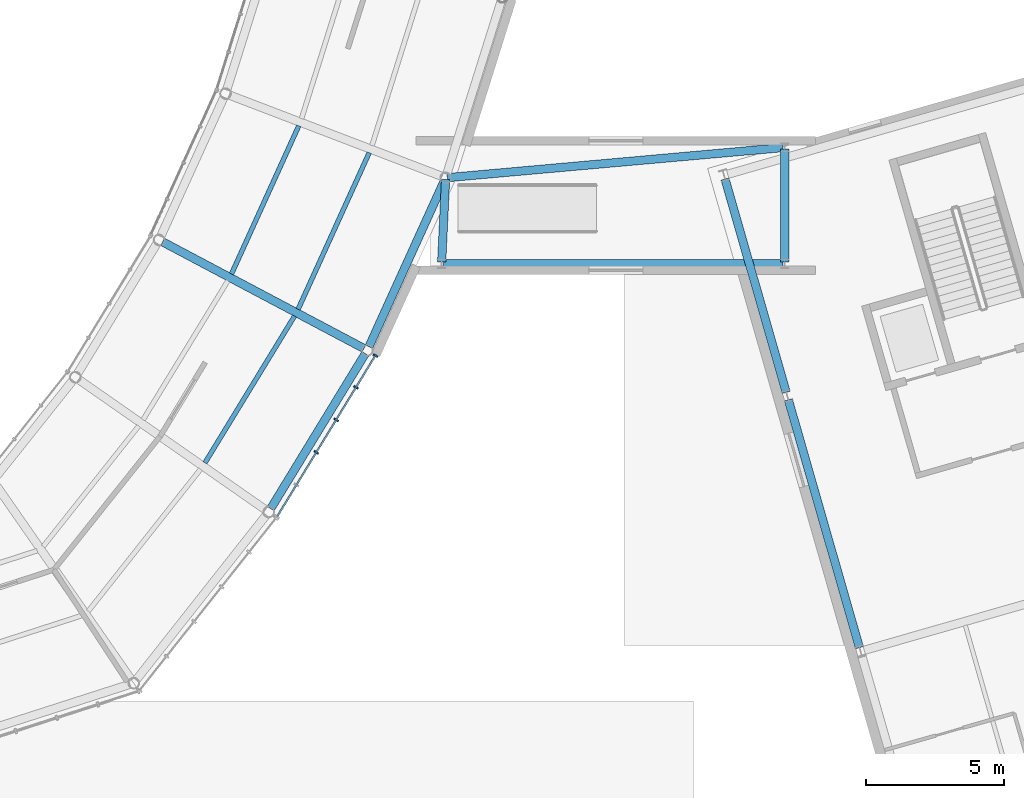
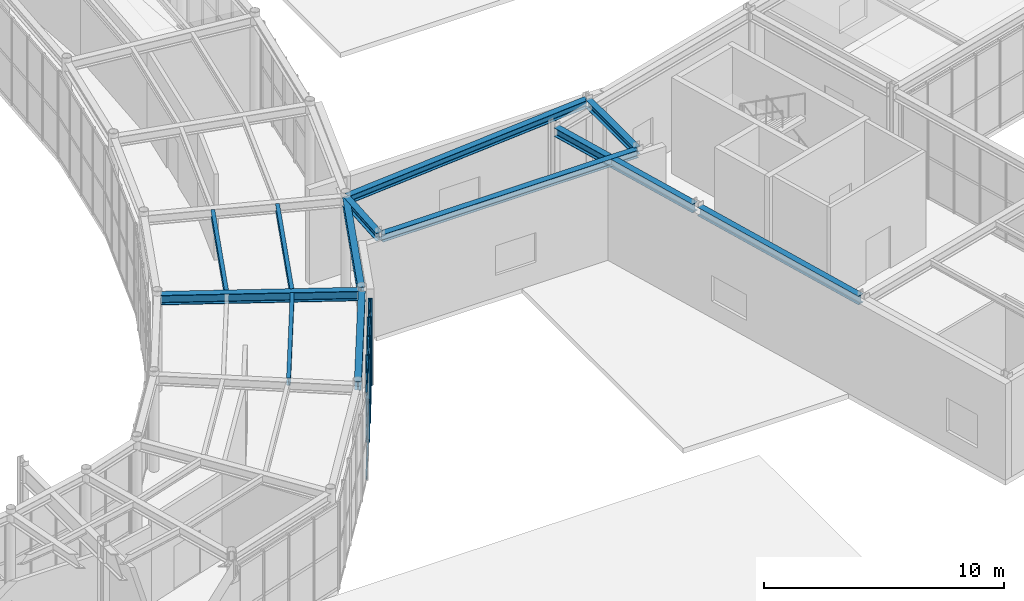
# One storey, part 31 of 97: 12 beams, 7 members, 1 element without a shape of its own.
"""IFC4 building model written with IfcOpenShell, lengths in metres."""

import ifcopenshell
import ifcopenshell.guid

model = None  # the IFC model being written
_history = None  # IfcOwnerHistory: only IFC2X3 demands one
_inside = {}  # id of a spatial element -> (the spatial element, [elements in it])
_under = {}  # id of a project, library or spatial element -> (it, [spatial elements below it])
_declared = {}  # id of a project -> (the project, [libraries it declares])
_typed = {}  # id of a type object -> (the type object, [elements of that type])
_made_of = {}  # id of a material, layer set ... -> (it, [elements and type objects made of it])


def new_model(schema):
    """Start an empty IFC model of exactly this schema.

    Asked for "IFC4X3", IfcOpenShell would pick the latest addendum, in which some entities
    have other attributes; the version numbers below select the first issue.
    IFC2X3 requires an IfcOwnerHistory on every rooted entity: one is made here for all.
    """
    global model, _history
    if schema == "IFC4X3":
        model = ifcopenshell.file(schema_version=(4, 3, 0, 0))
    else:
        model = ifcopenshell.file(schema=schema)
    _inside.clear()
    _under.clear()
    _declared.clear()
    _typed.clear()
    _made_of.clear()
    _history = None
    if model.schema == "IFC2X3":
        org = make("IfcOrganization", Name="unknown")
        user = make(
            "IfcPersonAndOrganization",
            ThePerson=make("IfcPerson", FamilyName="unknown"),
            TheOrganization=org,
        )
        app = make(
            "IfcApplication",
            ApplicationDeveloper=org,
            Version="unknown",
            ApplicationFullName="unknown",
            ApplicationIdentifier="unknown",
        )
        _history = make(
            "IfcOwnerHistory",
            OwningUser=user,
            OwningApplication=app,
            ChangeAction="ADDED",
            CreationDate=0,
        )
    return model


def make(cls, **values):
    """One entity of the class cls with the attributes given. An attribute that is None is left unset."""
    return model.create_entity(
        cls, **{name: value for name, value in values.items() if value is not None}
    )


def rooted(cls, **values):
    """An entity with a GlobalId (a new one), such as an element, a storey or a relation."""
    return make(cls, GlobalId=ifcopenshell.guid.new(), OwnerHistory=_history, **values)


def si_unit(unit_type, name, prefix=None):
    """IfcSIUnit, for example si_unit("LENGTHUNIT", "METRE", prefix="MILLI")."""
    return make("IfcSIUnit", UnitType=unit_type, Prefix=prefix, Name=name)


def assignment(units):
    """IfcUnitAssignment: the units of a project."""
    return None if units is None else make("IfcUnitAssignment", Units=units)


def point(xyz):
    """IfcCartesianPoint."""
    return None if xyz is None else make("IfcCartesianPoint", Coordinates=xyz)


def direction(xyz):
    """IfcDirection."""
    return None if xyz is None else make("IfcDirection", DirectionRatios=xyz)


def frame(location, z_axis=None, x_axis=None):
    """IfcAxis2Placement3D, a coordinate frame: its origin and axes. An axis left out is left unset."""
    return make(
        "IfcAxis2Placement3D",
        Location=point(location),
        Axis=direction(z_axis),
        RefDirection=direction(x_axis),
    )


def frame_2d(location, x_axis=None):
    """IfcAxis2Placement2D, a coordinate frame in the plane: its origin and x axis."""
    return make(
        "IfcAxis2Placement2D", Location=point(location), RefDirection=direction(x_axis)
    )


def origin():
    """The frame at (0, 0, 0) with its axes left unset."""
    return frame((0.0, 0.0, 0.0))


def origin_2d():
    """The frame at (0, 0) in the plane with its x axis left unset."""
    return frame_2d((0.0, 0.0))


def place(relative_to, where):
    """IfcLocalPlacement: puts the frame where relative to a parent placement (None: the world)."""
    return make(
        "IfcLocalPlacement", PlacementRelTo=relative_to, RelativePlacement=where
    )


def context(
    kind, dimensions, precision=None, world=None, true_north=None, identifier=None
):
    """IfcGeometricRepresentationContext, for example the 3D "Model" context."""
    return make(
        "IfcGeometricRepresentationContext",
        ContextIdentifier=identifier,
        ContextType=kind,
        CoordinateSpaceDimension=dimensions,
        Precision=precision,
        WorldCoordinateSystem=world,
        TrueNorth=true_north,
    )


def subcontext(parent, identifier, kind, view, scale=None):
    """IfcGeometricRepresentationSubContext, for example "Body" below "Model"."""
    return make(
        "IfcGeometricRepresentationSubContext",
        ContextIdentifier=identifier,
        ContextType=kind,
        ParentContext=parent,
        TargetScale=scale,
        TargetView=view,
    )


def project(units=None, contexts=None):
    """IfcProject with its units and contexts."""
    return rooted(
        "IfcProject",
        Name="project",
        RepresentationContexts=contexts,
        UnitsInContext=assignment(units),
    )


def spatial(cls, under=None, at=None, **own):
    """A site, building, storey or space (cls), placed at a placement, below another one or the project."""
    s = rooted(cls, ObjectPlacement=at, **own)
    if under is not None:
        _under.setdefault(under.id(), (under, []))[1].append(s)
    return s


def profile(cls, at=None, kind="AREA", **sizes):
    """A parametric profile (cls). Its sizes go by their IFC names, for example OverallWidth=200.0."""
    return make(cls, ProfileType=kind, Position=at, **sizes)


def rectangle(**sizes):
    """IfcRectangleProfileDef."""
    return profile("IfcRectangleProfileDef", **sizes)


def i_section(**sizes):
    """IfcIShapeProfileDef."""
    return profile("IfcIShapeProfileDef", **sizes)


def extrude(swept, where, along, depth):
    """IfcExtrudedAreaSolid: the profile swept, set in the frame where, extruded along a direction by depth."""
    return make(
        "IfcExtrudedAreaSolid",
        SweptArea=swept,
        Position=where,
        ExtrudedDirection=direction(along),
        Depth=depth,
    )


def shape(context_of_items, identifier, shape_type, items):
    """IfcShapeRepresentation: the items that make up one representation, for example the "Body"."""
    return make(
        "IfcShapeRepresentation",
        ContextOfItems=context_of_items,
        RepresentationIdentifier=identifier,
        RepresentationType=shape_type,
        Items=items,
    )


def material(Name=None, Category=None):
    """IfcMaterial."""
    return make("IfcMaterial", Name=Name, Category=Category)


def material_profile(
    of_material, cross_section, Name=None, Category=None, Priority=None
):
    """IfcMaterialProfile: a cross section and its material."""
    return make(
        "IfcMaterialProfile",
        Name=Name,
        Material=of_material,
        Profile=cross_section,
        Priority=Priority,
        Category=Category,
    )


def profile_set(profiles, Name=None, composite=None):
    """IfcMaterialProfileSet."""
    return make(
        "IfcMaterialProfileSet",
        Name=Name,
        MaterialProfiles=profiles,
        CompositeProfile=composite,
    )


def made_of(thing, what):
    """Note that an element or type object is made of a material, layer set ...; save() writes the relation."""
    if what is not None:
        _made_of.setdefault(what.id(), (what, []))[1].append(thing)
    return thing


def type_object(cls, material=None, **own):
    """A type object (cls), such as IfcWallType, which elements share."""
    return made_of(rooted(cls, **own), material)


def element(
    cls,
    number,
    at=None,
    inside=None,
    cuts=None,
    type_object=None,
    material=None,
    context=None,
    identifier="Body",
    shape_type=None,
    held_by="IfcProductDefinitionShape",
    body=None,
    shapes=None,
    **own,
):
    """One element of the class cls, such as IfcWall. Its Tag is "e" and its number.

    at: its placement. inside: the storey or other place that contains it. cuts: it is an
    opening in that element (IfcRelVoidsElement). A single representation is given by context,
    identifier, shape_type and body (its items); several are given by shapes. held_by: the class
    of the entity that holds the representations. save() writes the other relations.
    """
    e = rooted(cls, Tag="e%d" % number, ObjectPlacement=at, **own)
    if body is not None:
        shapes = [shape(context, identifier, shape_type, body)]
    if shapes is not None:
        e.Representation = make(held_by, Representations=shapes)
    if inside is not None:
        _inside.setdefault(inside.id(), (inside, []))[1].append(e)
    if cuts is not None:
        rooted(
            "IfcRelVoidsElement", RelatingBuildingElement=cuts, RelatedOpeningElement=e
        )
    if type_object is not None:
        _typed.setdefault(type_object.id(), (type_object, []))[1].append(e)
    return made_of(e, material)


def aggregate(whole, parts):
    """IfcRelAggregates: a whole, such as a stair, and the parts it consists of."""
    return rooted("IfcRelAggregates", RelatingObject=whole, RelatedObjects=parts)


def save(model, path):
    """Write the relations noted so far, then the file.

    IfcRelAggregates (storeys below a building ...), IfcRelContainedInSpatialStructure (elements
    in a storey), IfcRelDefinesByType, IfcRelAssociatesMaterial and IfcRelDeclares: one each for
    every whole, place, type object, material and project.
    """
    for whole, parts in _under.values():
        aggregate(whole, parts)
    for where, things in _inside.values():
        rooted(
            "IfcRelContainedInSpatialStructure",
            RelatedElements=things,
            RelatingStructure=where,
        )
    for kind, things in _typed.values():
        rooted("IfcRelDefinesByType", RelatedObjects=things, RelatingType=kind)
    for what, things in _made_of.values():
        rooted("IfcRelAssociatesMaterial", RelatedObjects=things, RelatingMaterial=what)
    for by, libraries in _declared.values():
        rooted("IfcRelDeclares", RelatingContext=by, RelatedDefinitions=libraries)
    model.write(path)


model = new_model("IFC4")

# Units and contexts
model_context = context("Model", 3, precision=1e-05, world=origin(), true_north=direction((0.0, 1.0)))
body_context = subcontext(model_context, "Body", "Model", "MODEL_VIEW")
ifc_project = project(units=[si_unit("LENGTHUNIT", "METRE"), si_unit("AREAUNIT", "SQUARE_METRE"), si_unit("VOLUMEUNIT", "CUBIC_METRE"), si_unit("PLANEANGLEUNIT", "RADIAN"), si_unit("MASSUNIT", "GRAM", prefix="KILO")], contexts=[model_context])

# Site, building, storey
site_placement = place(None, origin())
site = spatial("IfcSite", under=ifc_project, at=site_placement, CompositionType="ELEMENT")
building_placement = place(site_placement, origin())
building = spatial("IfcBuilding", under=site, at=building_placement, Name="Varnklinge Art Gallery", CompositionType="ELEMENT")
storey_placement = place(building_placement, origin())
storey = spatial("IfcBuildingStorey", under=building, at=storey_placement, Name="L00", CompositionType="ELEMENT", Elevation=0.0)

# Beams
ifc_material_1 = material(Name="Steel S355", Category="steel")
ifc_material_profile_1 = material_profile(ifc_material_1, i_section(OverallWidth=0.300048828125, OverallDepth=0.489990234375, WebThickness=0.011962890625, FlangeThickness=0.02294921875, FilletRadius=0.027099609375, at=origin_2d()), Name="HEA 500")
ifc_profile_set_1 = profile_set([ifc_material_profile_1], Name="Steel S355")
beam_type_1 = type_object("IfcBeamType", Name="BM-07", PredefinedType="BEAM", material=ifc_profile_set_1)
beam_1_placement = place(storey_placement, frame((104.592529296875, 28.734619140625, 4.635009765625), z_axis=(-0.883713647739, 0.468027978651, 0.0), x_axis=(-0.468027978651, -0.883713647739, 0.0)))
element("IfcBeam", 1, at=beam_1_placement, inside=storey, type_object=beam_type_1, Name="L00 BM-07 BM-V2-L01-R03", PredefinedType="BEAM", context=body_context, shape_type="SweptSolid", body=[
    extrude(i_section(OverallWidth=0.300048828125, OverallDepth=0.489990234375, WebThickness=0.011962890625, FlangeThickness=0.02294921875, FilletRadius=0.027099609375, at=origin_2d()), origin(), (0.0, 0.0, 1.0), 8.237060546875),
])
ifc_material_2 = material(Name="Steel S355", Category="steel")
ifc_material_profile_2 = material_profile(ifc_material_2, i_section(OverallWidth=0.300048828125, OverallDepth=0.43994140625, WebThickness=0.011474609375, FlangeThickness=0.02099609375, FilletRadius=0.027099609375, at=origin_2d()), Name="HEA 450")
ifc_profile_set_2 = profile_set([ifc_material_profile_2], Name="Steel S355")
beam_type_2 = type_object("IfcBeamType", Name="BM-08", PredefinedType="BEAM", material=ifc_profile_set_2)
beam_2_placement = place(storey_placement, frame((122.501220703125, 17.92138671875, 4.659912109375), z_axis=(-0.275658609922, 0.961255601168, 0.0), x_axis=(-0.961255601168, -0.275658609922, 0.0)))
element("IfcBeam", 2, at=beam_2_placement, inside=storey, type_object=beam_type_2, Name="L00 BM-08 BM-V6-L01-V0-1", PredefinedType="BEAM", context=body_context, shape_type="SweptSolid", body=[
    extrude(i_section(OverallWidth=0.300048828125, OverallDepth=0.43994140625, WebThickness=0.011474609375, FlangeThickness=0.02099609375, FilletRadius=0.027099609375, at=origin_2d()), origin(), (0.0, 0.0, 1.0), 9.31982421875),
])
beam_3_placement = place(storey_placement, frame((119.85498046875, 27.1494140625, 4.659912109375), z_axis=(-0.275649759333, 0.961258139201, 0.0), x_axis=(-0.961258139201, -0.275649759333, 0.0)))
element("IfcBeam", 3, at=beam_3_placement, inside=storey, type_object=beam_type_2, Name="L00 BM-08 BM-V6-L01-V0-2", PredefinedType="BEAM", context=body_context, shape_type="SweptSolid", body=[
    extrude(i_section(OverallWidth=0.300048828125, OverallDepth=0.43994140625, WebThickness=0.011474609375, FlangeThickness=0.02099609375, FilletRadius=0.027099609375, at=origin_2d()), origin(), (0.0, 0.0, 1.0), 8.02001953125),
])
ifc_material_3 = material(Name="Steel S355", Category="steel")
ifc_material_profile_3 = material_profile(ifc_material_3, i_section(OverallWidth=0.300048828125, OverallDepth=0.389892578125, WebThickness=0.010986328125, FlangeThickness=0.01904296875, FilletRadius=0.027099609375, at=origin_2d()), Name="HEA 400")
ifc_profile_set_3 = profile_set([ifc_material_profile_3], Name="Steel S355")
beam_type_3 = type_object("IfcBeamType", Name="BM-09", PredefinedType="BEAM", material=ifc_profile_set_3)
beam_4_placement = place(storey_placement, frame((107.4599609375, 31.800048828125, 4.68505859375), z_axis=(1.0, 0.0, 0.0), x_axis=(0.0, 1.0, 0.0)))
element("IfcBeam", 4, at=beam_4_placement, inside=storey, type_object=beam_type_3, Name="L00 BM-09 BM-LNK-V6-L01-1", PredefinedType="BEAM", context=body_context, shape_type="SweptSolid", body=[
    extrude(i_section(OverallWidth=0.300048828125, OverallDepth=0.389892578125, WebThickness=0.010986328125, FlangeThickness=0.01904296875, FilletRadius=0.027099609375, at=origin_2d()), origin(), (0.0, 0.0, 1.0), 12.280029296875),
])
beam_5_placement = place(storey_placement, frame((119.800048828125, 31.860107421875, 4.68505859375), z_axis=(0.0, 1.0, 0.0), x_axis=(-1.0, 0.0, 0.0)))
element("IfcBeam", 5, at=beam_5_placement, inside=storey, type_object=beam_type_3, Name="L00 BM-09 BM-LNK-V6-L01-2", PredefinedType="BEAM", context=body_context, shape_type="SweptSolid", body=[
    extrude(i_section(OverallWidth=0.300048828125, OverallDepth=0.389892578125, WebThickness=0.010986328125, FlangeThickness=0.01904296875, FilletRadius=0.027099609375, at=origin_2d()), origin(), (0.0, 0.0, 1.0), 4.079833984375),
])
beam_6_placement = place(storey_placement, frame((119.740234375, 35.99462890625, 4.68505859375), z_axis=(-0.996015643897, -0.089178680818, 0.0), x_axis=(0.089178680818, -0.996015643897, 0.0)))
element("IfcBeam", 6, at=beam_6_placement, inside=storey, type_object=beam_type_3, Name="L00 BM-09 BM-LNK-V6-L01-3", PredefinedType="BEAM", context=body_context, shape_type="SweptSolid", body=[
    extrude(i_section(OverallWidth=0.300048828125, OverallDepth=0.389892578125, WebThickness=0.010986328125, FlangeThickness=0.01904296875, FilletRadius=0.027099609375, at=origin_2d()), origin(), (0.0, 0.0, 1.0), 12.1826171875),
])
beam_7_placement = place(storey_placement, frame((107.543701171875, 34.843017578125, 4.68505859375), z_axis=(-0.047168979072, -0.998886924238, 0.0), x_axis=(0.998886924238, -0.047168979072, 0.0)))
element("IfcBeam", 7, at=beam_7_placement, inside=storey, type_object=beam_type_3, Name="L00 BM-09 BM-LNK-V6-L01-4", PredefinedType="BEAM", context=body_context, shape_type="SweptSolid", body=[
    extrude(i_section(OverallWidth=0.300048828125, OverallDepth=0.389892578125, WebThickness=0.010986328125, FlangeThickness=0.01904296875, FilletRadius=0.027099609375, at=origin_2d()), origin(), (0.0, 0.0, 1.0), 2.986572265625),
])
ifc_material_4 = material(Name="Steel S355", Category="steel")
ifc_material_profile_4 = material_profile(ifc_material_4, i_section(OverallWidth=0.169921875, OverallDepth=0.360107421875, WebThickness=0.008056640625, FlangeThickness=0.0126953125, FilletRadius=0.01806640625, at=origin_2d()), Name="IPE 360")
ifc_profile_set_4 = profile_set([ifc_material_profile_4], Name="Steel S355")
beam_type_4 = type_object("IfcBeamType", Name="JST-06", PredefinedType="JOIST", material=ifc_profile_set_4)
beam_8_placement = place(storey_placement, frame((98.847412109375, 24.600830078125, 4.699951171875), z_axis=(0.520923848619, 0.853603153661, 0.0), x_axis=(-0.853603153661, 0.520923848619, 0.0)))
element("IfcBeam", 8, at=beam_8_placement, inside=storey, type_object=beam_type_4, Name="L00 JST-06 JST-V2-L01-02-1", PredefinedType="JOIST", context=body_context, shape_type="SweptSolid", body=[
    extrude(i_section(OverallWidth=0.169921875, OverallDepth=0.360107421875, WebThickness=0.008056640625, FlangeThickness=0.0126953125, FilletRadius=0.01806640625, at=origin_2d()), origin(), (0.0, 0.0, 1.0), 6.213623046875),
])
beam_9_placement = place(storey_placement, frame((102.215087890625, 30.15185546875, 4.699951171875), z_axis=(0.413409198448, 0.910545350127, 0.0), x_axis=(-0.910545350127, 0.413409198448, 0.0)))
element("IfcBeam", 9, at=beam_9_placement, inside=storey, type_object=beam_type_4, Name="L00 JST-06 JST-V2-L01-03-1", PredefinedType="JOIST", context=body_context, shape_type="SweptSolid", body=[
    extrude(i_section(OverallWidth=0.169921875, OverallDepth=0.360107421875, WebThickness=0.008056640625, FlangeThickness=0.0126953125, FilletRadius=0.01806640625, at=origin_2d()), origin(), (0.0, 0.0, 1.0), 6.2138671875),
])
beam_10_placement = place(storey_placement, frame((99.806396484375, 31.427490234375, 4.699951171875), z_axis=(0.413430786601, 0.910535548285, 0.0), x_axis=(-0.910535548285, 0.413430786601, 0.0)))
element("IfcBeam", 10, at=beam_10_placement, inside=storey, type_object=beam_type_4, Name="L00 JST-06 JST-V2-L01-03-2", PredefinedType="JOIST", context=body_context, shape_type="SweptSolid", body=[
    extrude(i_section(OverallWidth=0.169921875, OverallDepth=0.360107421875, WebThickness=0.008056640625, FlangeThickness=0.0126953125, FilletRadius=0.01806640625, at=origin_2d()), origin(), (0.0, 0.0, 1.0), 5.88232421875),
])

# Curtain wall, members
ifc_material_5 = material(Name="Anodised Aluminium", Category="aluminium")
curtain_wall_type = type_object("IfcCurtainWallType", Name="CW-R01", PredefinedType="USERDEFINED", material=ifc_material_5)
curtain_wall_placement = place(storey_placement, origin())
curtain_wall = element("IfcCurtainWall", 11, at=curtain_wall_placement, inside=storey, type_object=curtain_wall_type, Name="L00 Curtain Wall CW-V2O-L00-02", ObjectType="UNITISED CURTAIN WALL", PredefinedType="USERDEFINED")
ifc_material_6 = material(Name="Anodised Aluminium", Category="aluminium")
ifc_material_profile_5 = material_profile(ifc_material_6, rectangle(XDim=0.06494140625, YDim=0.179931640625, at=origin_2d()), Name="ALU 65x180")
ifc_profile_set_5 = profile_set([ifc_material_profile_5], Name="Anodised Aluminium")
member_type_1 = type_object("IfcMemberType", Name="MUL-01", PredefinedType="MULLION", material=ifc_profile_set_5)
member_1_placement = place(storey_placement, frame((102.872314453125, 24.97705078125, 0.0), z_axis=(0.0, 0.0, 1.0), x_axis=(0.520860651188, 0.85364171761, 0.0)))
member_1 = element("IfcMember", 12, at=member_1_placement, type_object=member_type_1, Name="CW-V2O-L00-02 Mullion 3", PredefinedType="MULLION", context=body_context, shape_type="SweptSolid", body=[
    extrude(rectangle(XDim=0.06494140625, YDim=0.179931640625, at=origin_2d()), origin(), (0.0, 0.0, 1.0), 4.429931640625),
])
member_2_placement = place(storey_placement, frame((103.590087890625, 26.153076171875, 0.0), z_axis=(0.0, 0.0, 1.0), x_axis=(0.520860651188, 0.85364171761, 0.0)))
member_2 = element("IfcMember", 13, at=member_2_placement, type_object=member_type_1, Name="CW-V2O-L00-02 Mullion 4", PredefinedType="MULLION", context=body_context, shape_type="SweptSolid", body=[
    extrude(rectangle(XDim=0.06494140625, YDim=0.179931640625, at=origin_2d()), origin(), (0.0, 0.0, 1.0), 4.429931640625),
])
member_3_placement = place(storey_placement, frame((104.307861328125, 27.3291015625, 0.0), z_axis=(0.0, 0.0, 1.0), x_axis=(0.520860651188, 0.85364171761, 0.0)))
member_3 = element("IfcMember", 14, at=member_3_placement, type_object=member_type_1, Name="CW-V2O-L00-02 Mullion 5", PredefinedType="MULLION", context=body_context, shape_type="SweptSolid", body=[
    extrude(rectangle(XDim=0.06494140625, YDim=0.179931640625, at=origin_2d()), origin(), (0.0, 0.0, 1.0), 4.429931640625),
])
member_4_placement = place(storey_placement, frame((105.008544921875, 28.4775390625, 0.0), z_axis=(0.0, 0.0, 1.0), x_axis=(0.520860651188, 0.85364171761, 0.0)))
member_4 = element("IfcMember", 15, at=member_4_placement, type_object=member_type_1, Name="CW-V2O-L00-02 Mullion 6", PredefinedType="MULLION", context=body_context, shape_type="SweptSolid", body=[
    extrude(rectangle(XDim=0.06494140625, YDim=0.179931640625, at=origin_2d()), origin(), (0.0, 0.0, 1.0), 4.429931640625),
])

# Beams
ifc_material_7 = material(Name="Steel S355", Category="steel")
ifc_material_profile_6 = material_profile(ifc_material_7, i_section(OverallWidth=0.300048828125, OverallDepth=0.43994140625, WebThickness=0.011474609375, FlangeThickness=0.02099609375, FilletRadius=0.027099609375, at=origin_2d()), Name="HEA 450")
ifc_profile_set_6 = profile_set([ifc_material_profile_6], Name="Steel S355")
beam_type_5 = type_object("IfcBeamType", Name="SPB-02", PredefinedType="SPANDREL", material=ifc_profile_set_6)
beam_11_placement = place(storey_placement, frame((101.222900390625, 22.944580078125, 4.659912109375), z_axis=(0.520911485476, 0.853610698327, 0.0), x_axis=(-0.853610698327, 0.520911485476, 0.0)))
element("IfcBeam", 16, at=beam_11_placement, inside=storey, type_object=beam_type_5, Name="L00 SPB-02 BM-V2-L01-O02", PredefinedType="SPANDREL", context=body_context, shape_type="SweptSolid", body=[
    extrude(i_section(OverallWidth=0.300048828125, OverallDepth=0.43994140625, WebThickness=0.011474609375, FlangeThickness=0.02099609375, FilletRadius=0.027099609375, at=origin_2d()), origin(), (0.0, 0.0, 1.0), 6.566162109375),
])
beam_12_placement = place(storey_placement, frame((104.774169921875, 28.79638671875, 4.659912109375), z_axis=(0.413377101484, 0.910559922229, 0.0), x_axis=(-0.910559922229, 0.413377101484, 0.0)))
element("IfcBeam", 17, at=beam_12_placement, inside=storey, type_object=beam_type_5, Name="L00 SPB-02 BM-V2-L01-O03", PredefinedType="SPANDREL", context=body_context, shape_type="SweptSolid", body=[
    extrude(i_section(OverallWidth=0.300048828125, OverallDepth=0.43994140625, WebThickness=0.011474609375, FlangeThickness=0.02099609375, FilletRadius=0.027099609375, at=origin_2d()), origin(), (0.0, 0.0, 1.0), 6.56640625),
])

# Member
ifc_material_8 = material(Name="Anodised Aluminium", Category="aluminium")
ifc_material_profile_7 = material_profile(ifc_material_8, rectangle(XDim=0.06494140625, YDim=0.14990234375, at=origin_2d()), Name="ALU 65x150")
ifc_profile_set_7 = profile_set([ifc_material_profile_7], Name="Anodised Aluminium")
member_type_2 = type_object("IfcMemberType", Name="TRN-01", PredefinedType="USERDEFINED", material=ifc_profile_set_7)
member_5_placement = place(storey_placement, frame((101.453857421875, 22.652587890625, 0.074951171875), z_axis=(0.520915902613, 0.853608002777, 0.0), x_axis=(-0.853608002777, 0.520915902613, 0.0)))
member_5 = element("IfcMember", 18, at=member_5_placement, type_object=member_type_2, Name="CW-V2O-L00-02 Transom 1", ObjectType="TRANSOM", PredefinedType="USERDEFINED", context=body_context, shape_type="SweptSolid", body=[
    extrude(rectangle(XDim=0.06494140625, YDim=0.14990234375, at=origin_2d()), origin(), (0.0, 0.0, 1.0), 6.823974609375),
])

member_6_placement = place(storey_placement, frame((101.453857421875, 22.652587890625, 2.12646484375), z_axis=(0.520915902613, 0.853608002777, 0.0), x_axis=(-0.853608002777, 0.520915902613, 0.0)))
member_6 = element("IfcMember", 19, at=member_6_placement, type_object=member_type_2, Name="CW-V2O-L00-02 Transom 2", ObjectType="TRANSOM", PredefinedType="USERDEFINED", context=body_context, shape_type="SweptSolid", body=[
    extrude(rectangle(XDim=0.06494140625, YDim=0.14990234375, at=origin_2d()), origin(), (0.0, 0.0, 1.0), 6.823974609375),
])

member_7_placement = place(storey_placement, frame((101.453857421875, 22.652587890625, 4.35498046875), z_axis=(0.520915902613, 0.853608002777, 0.0), x_axis=(-0.853608002777, 0.520915902613, 0.0)))
member_7 = element("IfcMember", 20, at=member_7_placement, type_object=member_type_2, Name="CW-V2O-L00-02 Transom 3", ObjectType="TRANSOM", PredefinedType="USERDEFINED", context=body_context, shape_type="SweptSolid", body=[
    extrude(rectangle(XDim=0.06494140625, YDim=0.14990234375, at=origin_2d()), origin(), (0.0, 0.0, 1.0), 6.823974609375),
])

aggregate(curtain_wall, [member_1, member_2, member_3, member_4, member_5, member_6, member_7])

save(model, "model.ifc")
